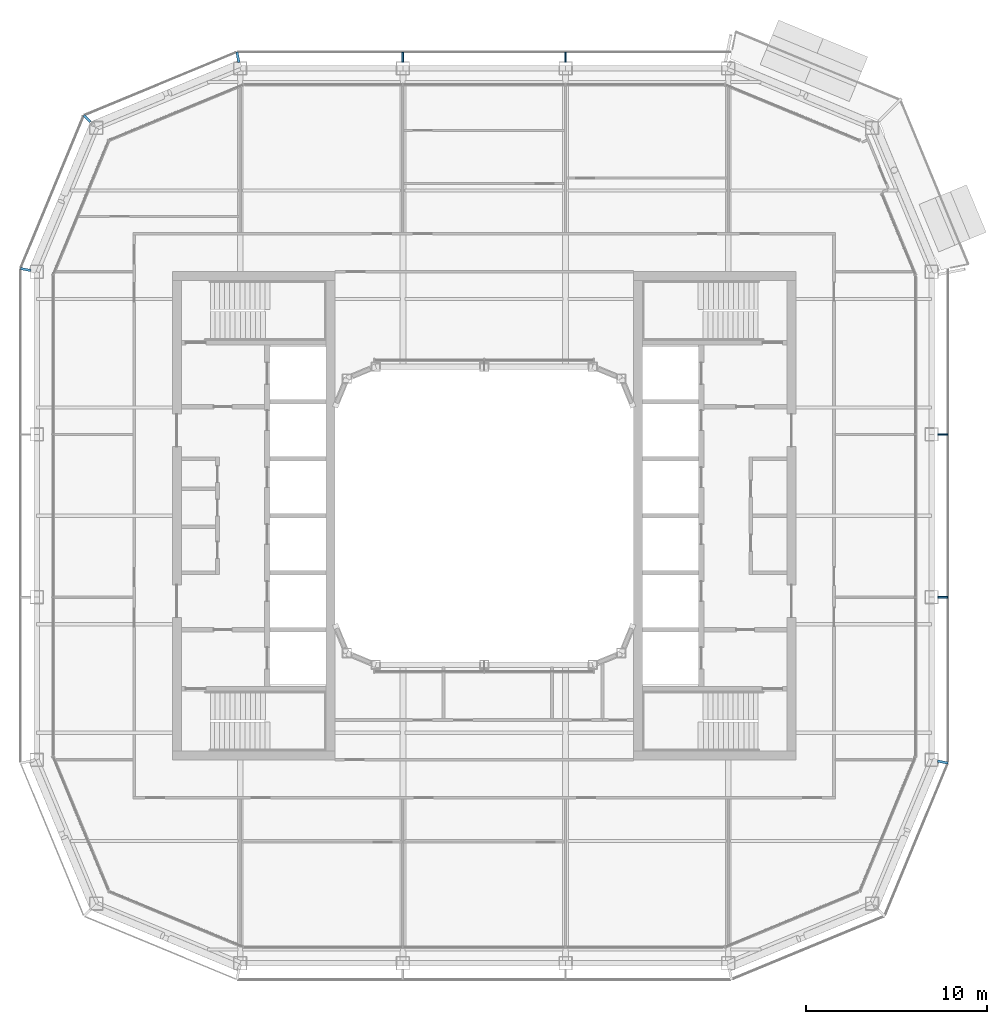
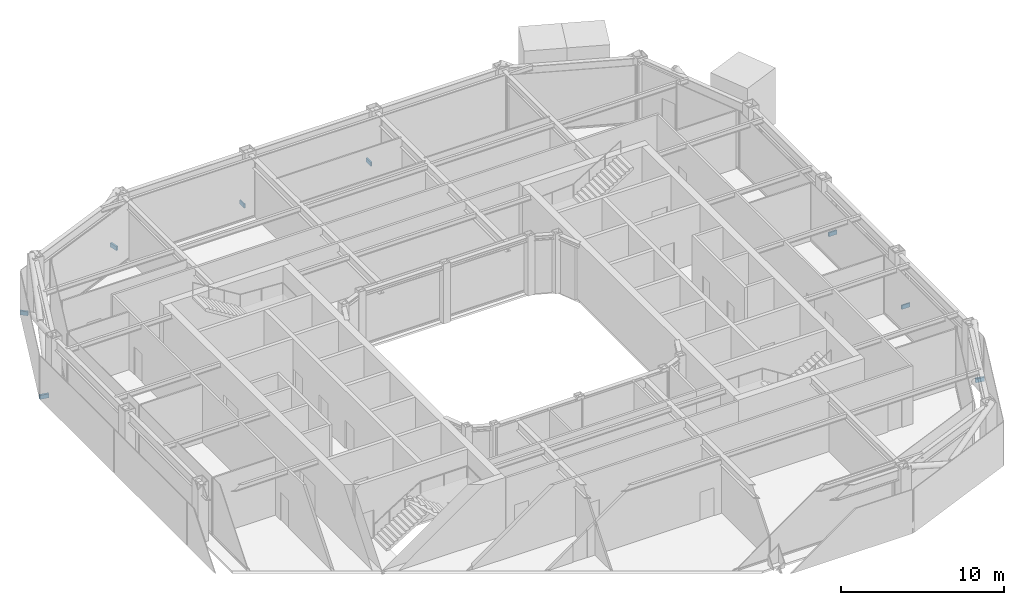
# One storey, part 14 of 20: 8 discrete accessories.
"""IFC4 building model written with IfcOpenShell, lengths in metres."""

from ifc_helpers import new_model, si_unit, direction, frame, origin, origin_2d, place, context, subcontext, project, spatial, rectangle, extrude, material, type_object, element, save


model = new_model("IFC4")

# Units and contexts
model_context = context("Model", 3, precision=1e-05, world=origin(), true_north=direction((0.0, 1.0)))
body_context = subcontext(model_context, "Body", "Model", "MODEL_VIEW")
ifc_project = project(units=[si_unit("LENGTHUNIT", "METRE"), si_unit("AREAUNIT", "SQUARE_METRE"), si_unit("VOLUMEUNIT", "CUBIC_METRE"), si_unit("PLANEANGLEUNIT", "RADIAN"), si_unit("MASSUNIT", "GRAM", prefix="KILO")], contexts=[model_context])

# Site, building, storey
site_placement = place(None, origin())
site = spatial("IfcSite", under=ifc_project, at=site_placement, CompositionType="ELEMENT")
building_placement = place(site_placement, origin())
building = spatial("IfcBuilding", under=site, at=building_placement, Name="Siwar Civic Tower", CompositionType="ELEMENT")
storey_placement = place(building_placement, frame((0.0, 0.0, 307.699951171875)))
storey = spatial("IfcBuildingStorey", under=building, at=storey_placement, Name="L66", CompositionType="ELEMENT", Elevation=307.699951171875)

# Discrete accessories
ifc_material = material(Name="Stainless steel 316", Category="steel")
discrete_accessory_type = type_object("IfcDiscreteAccessoryType", Name="ENV-BRACKET", PredefinedType="BRACKET", material=ifc_material)
for number, where, z_axis, x_axis, name in (
    (1, (25.364990234375, -4.5, -0.14990234375), (0.0, 0.0, 1.0), (1.0, 0.0, 0.0), "Bracket outer skin joint E-01"),
    (2, (25.364990234375, 4.5, -0.14990234375), (0.0, 0.0, 1.0), (1.0, 0.0, 0.0), "Bracket outer skin joint E-02"),
    (3, (4.5, 25.364990234375, -0.14990234375), (0.0, 0.0, 1.0), (0.0, 1.0, 0.0), "Bracket outer skin joint N-01"),
    (4, (-4.5, 25.364990234375, -0.14990234375), (0.0, 0.0, 1.0), (0.0, 1.0, 0.0), "Bracket outer skin joint N-02"),
):
    element("IfcDiscreteAccessory", number, at=place(storey_placement, frame(where, z_axis=z_axis, x_axis=x_axis)), inside=storey, type_object=discrete_accessory_type, Name=name, PredefinedType="BRACKET", context=body_context, shape_type="SweptSolid", body=[
        extrude(rectangle(XDim=0.570068359375, YDim=0.10009765625, at=origin_2d()), origin(), (0.0, 0.0, 1.0), 0.300048828125),
    ])
for number, where, z_axis, x_axis, name in (
    (5, (25.365234375, -13.622314453125, -0.14990234375), (0.0, 0.0, 1.0), (0.980785280403, -0.195090322016, 0.0), "Bracket outer skin joint V03"),
    (6, (-13.622314453125, 25.365234375, -0.14990234375), (0.0, 0.0, 1.0), (-0.195090322016, 0.980785280403, 0.0), "Bracket outer skin joint V07"),
):
    element("IfcDiscreteAccessory", number, at=place(storey_placement, frame(where, z_axis=z_axis, x_axis=x_axis)), inside=storey, type_object=discrete_accessory_type, Name=name, PredefinedType="BRACKET", context=body_context, shape_type="SweptSolid", body=[
        extrude(rectangle(XDim=0.580810546875, YDim=0.13720703125, at=origin_2d()), origin(), (0.0, 0.0, 1.0), 0.300048828125),
    ])
discrete_accessory_1_placement = place(storey_placement, frame((-21.96728515625, 21.96728515625, -0.14990234375), z_axis=(0.0, 0.0, 1.0), x_axis=(-0.707106781187, 0.707106781187, 0.0)))
element("IfcDiscreteAccessory", 7, at=discrete_accessory_1_placement, inside=storey, type_object=discrete_accessory_type, Name="Bracket outer skin joint V08", PredefinedType="BRACKET", context=body_context, shape_type="SweptSolid", body=[
    extrude(rectangle(XDim=0.499267578125, YDim=0.12939453125, at=origin_2d()), origin(), (0.0, 0.0, 1.0), 0.300048828125),
])
discrete_accessory_2_placement = place(storey_placement, frame((-25.365234375, 13.622314453125, -0.14990234375), z_axis=(0.0, 0.0, 1.0), x_axis=(-0.980785280403, 0.195090322016, 0.0)))
element("IfcDiscreteAccessory", 8, at=discrete_accessory_2_placement, inside=storey, type_object=discrete_accessory_type, Name="Bracket outer skin joint V09", PredefinedType="BRACKET", context=body_context, shape_type="SweptSolid", body=[
    extrude(rectangle(XDim=0.580810546875, YDim=0.13720703125, at=origin_2d()), origin(), (0.0, 0.0, 1.0), 0.300048828125),
])

save(model, "model.ifc")
